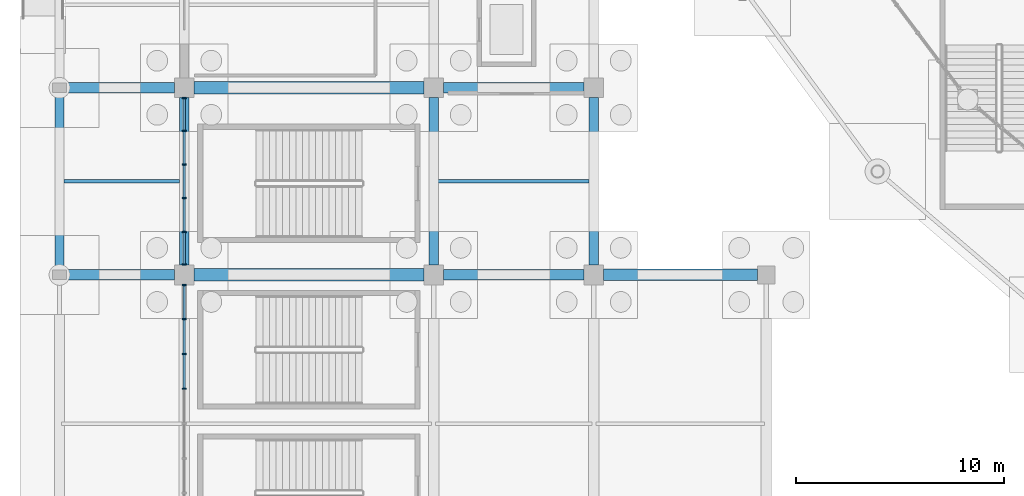
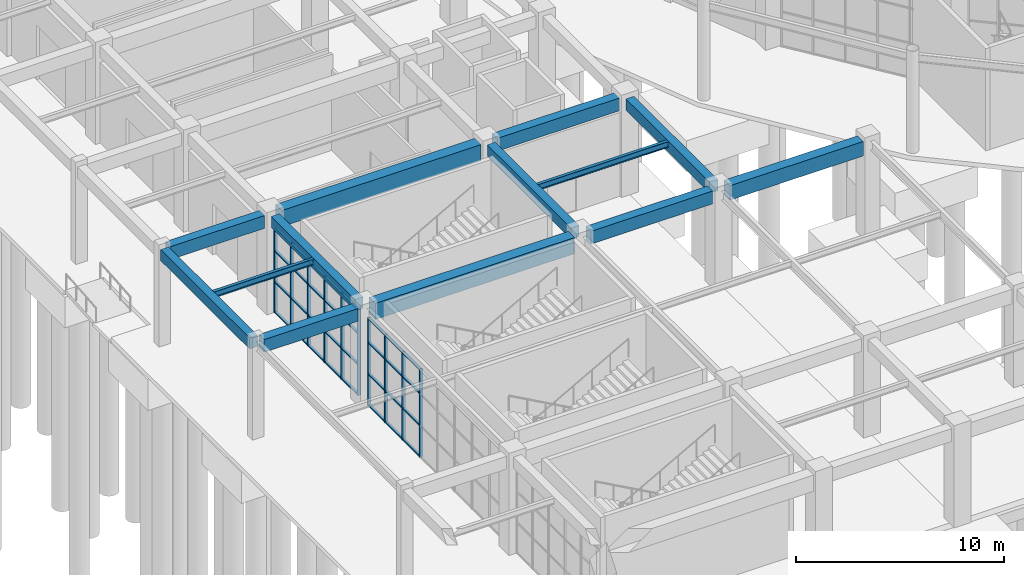
# One storey, part 26 of 121: 42 members, 13 beams, 2 elements without a shape of their own.
"""IFC4 building model written with IfcOpenShell, lengths in metres."""

from ifc_helpers import new_model, si_unit, direction, frame, origin, origin_2d, place, context, subcontext, project, spatial, rectangle, i_section, extrude, material, material_profile, profile_set, type_object, element, aggregate, save


model = new_model("IFC4")

# Units and contexts
model_context = context("Model", 3, precision=1e-05, world=origin(), true_north=direction((0.0, 1.0)))
body_context = subcontext(model_context, "Body", "Model", "MODEL_VIEW")
ifc_project = project(units=[si_unit("LENGTHUNIT", "METRE"), si_unit("AREAUNIT", "SQUARE_METRE"), si_unit("VOLUMEUNIT", "CUBIC_METRE"), si_unit("PLANEANGLEUNIT", "RADIAN"), si_unit("MASSUNIT", "GRAM", prefix="KILO")], contexts=[model_context])

# Site, building, storey
site_placement = place(None, origin())
site = spatial("IfcSite", under=ifc_project, at=site_placement, CompositionType="ELEMENT")
building_placement = place(site_placement, origin())
building = spatial("IfcBuilding", under=site, at=building_placement, Name="Cuetzalor Civic Arena", CompositionType="ELEMENT")
storey_placement = place(building_placement, origin())
storey = spatial("IfcBuildingStorey", under=building, at=storey_placement, Name="L00", CompositionType="ELEMENT", Elevation=0.0)

# Beams
ifc_material_1 = material(Name="Concrete C40/50", Category="concrete")
ifc_material_profile_1 = material_profile(ifc_material_1, rectangle(XDim=0.5, YDim=0.75, at=origin_2d()), Name="RC 500x750")
ifc_profile_set_1 = profile_set([ifc_material_profile_1], Name="Concrete C40/50")
beam_type_1 = type_object("IfcBeamType", Name="ConcreteFrameBeam_500x750", PredefinedType="BEAM", material=ifc_profile_set_1)
beam_1_placement = place(storey_placement, frame((-81.68505859375, -34.0, 5.324951171875), z_axis=(1.0, 0.0, 0.0), x_axis=(0.0, 1.0, 0.0)))
element("IfcBeam", 1, at=beam_1_placement, inside=storey, type_object=beam_type_1, Name="Frame Girder V4W-L00-X0065", PredefinedType="BEAM", context=body_context, shape_type="SweptSolid", body=[
    extrude(rectangle(XDim=0.5, YDim=0.75, at=origin_2d()), origin(), (0.0, 0.0, 1.0), 5.219970703125),
])
beam_2_placement = place(storey_placement, frame((-63.534912109375, -34.0, 5.324951171875), z_axis=(1.0, 0.0, 0.0), x_axis=(0.0, 1.0, 0.0)))
element("IfcBeam", 2, at=beam_2_placement, inside=storey, type_object=beam_type_1, Name="Frame Girder V4W-L00-X0067", PredefinedType="BEAM", context=body_context, shape_type="SweptSolid", body=[
    extrude(rectangle(XDim=0.5, YDim=0.75, at=origin_2d()), origin(), (0.0, 0.0, 1.0), 6.77001953125),
])
beam_3_placement = place(storey_placement, frame((-81.68505859375, -25.0, 5.324951171875), z_axis=(1.0, 0.0, 0.0), x_axis=(0.0, 1.0, 0.0)))
element("IfcBeam", 3, at=beam_3_placement, inside=storey, type_object=beam_type_1, Name="Frame Girder V4W-L00-X0069", PredefinedType="BEAM", context=body_context, shape_type="SweptSolid", body=[
    extrude(rectangle(XDim=0.5, YDim=0.75, at=origin_2d()), origin(), (0.0, 0.0, 1.0), 5.219970703125),
])
beam_4_placement = place(storey_placement, frame((-63.534912109375, -25.0, 5.324951171875), z_axis=(1.0, 0.0, 0.0), x_axis=(0.0, 1.0, 0.0)))
element("IfcBeam", 4, at=beam_4_placement, inside=storey, type_object=beam_type_1, Name="Frame Girder V4W-L00-X0071", PredefinedType="BEAM", context=body_context, shape_type="SweptSolid", body=[
    extrude(rectangle(XDim=0.5, YDim=0.75, at=origin_2d()), origin(), (0.0, 0.0, 1.0), 6.77001953125),
])
ifc_material_2 = material(Name="Concrete C40/50", Category="concrete")
ifc_material_profile_2 = material_profile(ifc_material_2, rectangle(XDim=0.550048828125, YDim=0.85009765625, at=origin_2d()), Name="RC 550x850")
ifc_profile_set_2 = profile_set([ifc_material_profile_2], Name="Concrete C40/50")
beam_type_2 = type_object("IfcBeamType", Name="ConcreteFrameBeam_550x850", PredefinedType="BEAM", material=ifc_profile_set_2)
beam_5_placement = place(storey_placement, frame((-55.8349609375, -34.0, 5.27490234375), z_axis=(1.0, 0.0, 0.0), x_axis=(0.0, 1.0, 0.0)))
element("IfcBeam", 5, at=beam_5_placement, inside=storey, type_object=beam_type_2, Name="Frame Girder V4W-L00-X0068", PredefinedType="BEAM", context=body_context, shape_type="SweptSolid", body=[
    extrude(rectangle(XDim=0.550048828125, YDim=0.85009765625, at=origin_2d()), origin(), (0.0, 0.0, 1.0), 7.419921875),
])
ifc_material_3 = material(Name="Concrete C40/50", Category="concrete")
ifc_material_profile_3 = material_profile(ifc_material_3, rectangle(XDim=0.60009765625, YDim=0.949951171875, at=origin_2d()), Name="RC 600x950")
ifc_profile_set_3 = profile_set([ifc_material_profile_3], Name="Concrete C40/50")
beam_type_3 = type_object("IfcBeamType", Name="ConcreteFrameBeam_600x950", PredefinedType="BEAM", material=ifc_profile_set_3)
for number, where, z_axis, x_axis, name in (
    (6, (-75.534912109375, -34.0, 5.22509765625), (1.0, 0.0, 0.0), (0.0, 1.0, 0.0), "Frame Girder V4W-L00-X0066"),
    (7, (-75.534912109375, -25.0, 5.22509765625), (1.0, 0.0, 0.0), (0.0, 1.0, 0.0), "Frame Girder V4W-L00-X0070"),
):
    element("IfcBeam", number, at=place(storey_placement, frame(where, z_axis=z_axis, x_axis=x_axis)), inside=storey, type_object=beam_type_3, Name=name, PredefinedType="BEAM", context=body_context, shape_type="SweptSolid", body=[
        extrude(rectangle(XDim=0.60009765625, YDim=0.949951171875, at=origin_2d()), origin(), (0.0, 0.0, 1.0), 11.06982421875),
    ])
ifc_material_4 = material(Name="Concrete C40/50", Category="concrete")
ifc_material_profile_4 = material_profile(ifc_material_4, rectangle(XDim=0.449951171875, YDim=0.64990234375, at=origin_2d()), Name="RC 450x650")
ifc_profile_set_4 = profile_set([ifc_material_profile_4], Name="Concrete C40/50")
beam_type_4 = type_object("IfcBeamType", Name="ConcreteTieBeam_450x650", PredefinedType="BEAM", material=ifc_profile_set_4)
beam_6_placement = place(storey_placement, frame((-82.0, -33.784912109375, 5.375), z_axis=(0.0, 1.0, 0.0), x_axis=(-1.0, 0.0, 0.0)))
element("IfcBeam", 8, at=beam_6_placement, inside=storey, type_object=beam_type_4, Name="Frame Girder V4W-L00-Y0095", PredefinedType="BEAM", context=body_context, shape_type="SweptSolid", body=[
    extrude(rectangle(XDim=0.449951171875, YDim=0.64990234375, at=origin_2d()), origin(), (0.0, 0.0, 1.0), 8.56982421875),
])
for number, where, z_axis, x_axis, name in (
    (9, (-76.0, -33.534912109375, 5.375), (0.0, 1.0, 0.0), (-1.0, 0.0, 0.0), "Frame Girder V4W-L00-Y0105"),
    (10, (-64.0, -33.534912109375, 5.375), (0.0, 1.0, 0.0), (-1.0, 0.0, 0.0), "Frame Girder V4W-L00-Y0115"),
    (11, (-56.300048828125, -33.534912109375, 5.375), (0.0, 1.0, 0.0), (-1.0, 0.0, 0.0), "Frame Girder V4W-L00-Y0125"),
):
    element("IfcBeam", number, at=place(storey_placement, frame(where, z_axis=z_axis, x_axis=x_axis)), inside=storey, type_object=beam_type_4, Name=name, PredefinedType="BEAM", context=body_context, shape_type="SweptSolid", body=[
        extrude(rectangle(XDim=0.449951171875, YDim=0.64990234375, at=origin_2d()), origin(), (0.0, 0.0, 1.0), 8.06982421875),
    ])

# Curtain wall, members
ifc_material_5 = material(Name="Anodised dark bronze aluminium and low-E solar glass", Category="aluminium")
curtain_wall_type_1 = type_object("IfcCurtainWallType", Name="UnitisedCW_13400x5150", PredefinedType="USERDEFINED", material=ifc_material_5)
curtain_wall_1_placement = place(storey_placement, origin())
curtain_wall_1 = element("IfcCurtainWall", 12, at=curtain_wall_1_placement, inside=storey, type_object=curtain_wall_type_1, Name="V4W Colonnade Curtain Wall L00-104", ObjectType="UNITISED CURTAIN WALL", PredefinedType="USERDEFINED")
ifc_material_6 = material(Name="Anodised dark bronze aluminium", Category="aluminium")
ifc_material_profile_5 = material_profile(ifc_material_6, rectangle(XDim=0.070068359375, YDim=0.179931640625, at=origin_2d()), Name="ALU MULLION 70x180")
ifc_profile_set_5 = profile_set([ifc_material_profile_5], Name="Anodised dark bronze aluminium")
member_type_1 = type_object("IfcMemberType", Name="CurtainWallMullion_65x180", PredefinedType="MULLION", material=ifc_profile_set_5)
member_1_placement = place(storey_placement, frame((-76.0, -39.476806640625, 0.0), z_axis=(0.0, 0.0, 1.0), x_axis=(0.0, 1.0, 0.0)))
member_1 = element("IfcMember", 13, at=member_1_placement, type_object=member_type_1, Name="CW-32 mullion 6", PredefinedType="MULLION", context=body_context, shape_type="SweptSolid", body=[
    extrude(rectangle(XDim=0.070068359375, YDim=0.179931640625, at=origin_2d()), origin(), (0.0, 0.0, 1.0), 5.156982421875),
])
member_2_placement = place(storey_placement, frame((-76.0, -37.803466796875, 0.0), z_axis=(0.0, 0.0, 1.0), x_axis=(0.0, 1.0, 0.0)))
member_2 = element("IfcMember", 14, at=member_2_placement, type_object=member_type_1, Name="CW-32 mullion 7", PredefinedType="MULLION", context=body_context, shape_type="SweptSolid", body=[
    extrude(rectangle(XDim=0.070068359375, YDim=0.179931640625, at=origin_2d()), origin(), (0.0, 0.0, 1.0), 5.156982421875),
])
member_3_placement = place(storey_placement, frame((-76.0, -36.13037109375, 0.0), z_axis=(0.0, 0.0, 1.0), x_axis=(0.0, 1.0, 0.0)))
member_3 = element("IfcMember", 15, at=member_3_placement, type_object=member_type_1, Name="CW-32 mullion 8", PredefinedType="MULLION", context=body_context, shape_type="SweptSolid", body=[
    extrude(rectangle(XDim=0.070068359375, YDim=0.179931640625, at=origin_2d()), origin(), (0.0, 0.0, 1.0), 5.156982421875),
])
member_4_placement = place(storey_placement, frame((-76.0, -34.491943359375, 0.0), z_axis=(0.0, 0.0, 1.0), x_axis=(0.0, 1.0, 0.0)))
member_4 = element("IfcMember", 16, at=member_4_placement, type_object=member_type_1, Name="CW-32 mullion 9", PredefinedType="MULLION", context=body_context, shape_type="SweptSolid", body=[
    extrude(rectangle(XDim=0.070068359375, YDim=0.179931640625, at=origin_2d()), origin(), (0.0, 0.0, 1.0), 5.156982421875),
])

ifc_material_7 = material(Name="Anodised dark bronze aluminium and low-E solar glass", Category="aluminium")
curtain_wall_type_2 = type_object("IfcCurtainWallType", Name="UnitisedCW_8100x5050", PredefinedType="USERDEFINED", material=ifc_material_7)
curtain_wall_2_placement = place(storey_placement, origin())
curtain_wall_2 = element("IfcCurtainWall", 17, at=curtain_wall_2_placement, inside=storey, type_object=curtain_wall_type_2, Name="V4W Colonnade Curtain Wall L00-105", ObjectType="UNITISED CURTAIN WALL", PredefinedType="USERDEFINED")
member_5_placement = place(storey_placement, frame((-76.0, -33.508056640625, 0.0), z_axis=(0.0, 0.0, 1.0), x_axis=(0.0, 1.0, 0.0)))
member_5 = element("IfcMember", 18, at=member_5_placement, type_object=member_type_1, Name="CW-33 mullion 1", PredefinedType="MULLION", context=body_context, shape_type="SweptSolid", body=[
    extrude(rectangle(XDim=0.070068359375, YDim=0.179931640625, at=origin_2d()), origin(), (0.0, 0.0, 1.0), 5.0400390625),
])
member_6_placement = place(storey_placement, frame((-76.0, -31.92578125, 0.0), z_axis=(0.0, 0.0, 1.0), x_axis=(0.0, 1.0, 0.0)))
member_6 = element("IfcMember", 19, at=member_6_placement, type_object=member_type_1, Name="CW-33 mullion 2", PredefinedType="MULLION", context=body_context, shape_type="SweptSolid", body=[
    extrude(rectangle(XDim=0.070068359375, YDim=0.179931640625, at=origin_2d()), origin(), (0.0, 0.0, 1.0), 5.0400390625),
])
member_7_placement = place(storey_placement, frame((-76.0, -30.30859375, 0.0), z_axis=(0.0, 0.0, 1.0), x_axis=(0.0, 1.0, 0.0)))
member_7 = element("IfcMember", 20, at=member_7_placement, type_object=member_type_1, Name="CW-33 mullion 3", PredefinedType="MULLION", context=body_context, shape_type="SweptSolid", body=[
    extrude(rectangle(XDim=0.070068359375, YDim=0.179931640625, at=origin_2d()), origin(), (0.0, 0.0, 1.0), 5.0400390625),
])
member_8_placement = place(storey_placement, frame((-76.0, -28.69140625, 0.0), z_axis=(0.0, 0.0, 1.0), x_axis=(0.0, 1.0, 0.0)))
member_8 = element("IfcMember", 21, at=member_8_placement, type_object=member_type_1, Name="CW-33 mullion 4", PredefinedType="MULLION", context=body_context, shape_type="SweptSolid", body=[
    extrude(rectangle(XDim=0.070068359375, YDim=0.179931640625, at=origin_2d()), origin(), (0.0, 0.0, 1.0), 5.0400390625),
])
member_9_placement = place(storey_placement, frame((-76.0, -27.07421875, 0.0), z_axis=(0.0, 0.0, 1.0), x_axis=(0.0, 1.0, 0.0)))
member_9 = element("IfcMember", 22, at=member_9_placement, type_object=member_type_1, Name="CW-33 mullion 5", PredefinedType="MULLION", context=body_context, shape_type="SweptSolid", body=[
    extrude(rectangle(XDim=0.070068359375, YDim=0.179931640625, at=origin_2d()), origin(), (0.0, 0.0, 1.0), 5.0400390625),
])
member_10_placement = place(storey_placement, frame((-76.0, -25.491943359375, 0.0), z_axis=(0.0, 0.0, 1.0), x_axis=(0.0, 1.0, 0.0)))
member_10 = element("IfcMember", 23, at=member_10_placement, type_object=member_type_1, Name="CW-33 mullion 6", PredefinedType="MULLION", context=body_context, shape_type="SweptSolid", body=[
    extrude(rectangle(XDim=0.070068359375, YDim=0.179931640625, at=origin_2d()), origin(), (0.0, 0.0, 1.0), 5.0400390625),
])

# Member
ifc_material_8 = material(Name="Anodised dark bronze aluminium", Category="aluminium")
ifc_material_profile_6 = material_profile(ifc_material_8, rectangle(XDim=0.139892578125, YDim=0.070068359375, at=origin_2d()), Name="ALU TRANSOM 70x140")
ifc_profile_set_6 = profile_set([ifc_material_profile_6], Name="Anodised dark bronze aluminium")
member_type_2 = type_object("IfcMemberType", Name="CurtainWallTransom_65x140", PredefinedType="USERDEFINED", material=ifc_profile_set_6)
member_11_placement = place(storey_placement, frame((-76.0, -39.441650390625, 0.034912109375), z_axis=(0.0, 1.0, 0.0), x_axis=(-1.0, 0.0, 0.0)))
member_11 = element("IfcMember", 24, at=member_11_placement, type_object=member_type_2, Name="CW-32 transom 6.1", ObjectType="TRANSOM", PredefinedType="USERDEFINED", context=body_context, shape_type="SweptSolid", body=[
    extrude(rectangle(XDim=0.139892578125, YDim=0.070068359375, at=origin_2d()), origin(), (0.0, 0.0, 1.0), 1.603271484375),
])

member_12_placement = place(storey_placement, frame((-76.0, -39.441650390625, 1.85693359375), z_axis=(0.0, 1.0, 0.0), x_axis=(-1.0, 0.0, 0.0)))
member_12 = element("IfcMember", 25, at=member_12_placement, type_object=member_type_2, Name="CW-32 transom 6.2", ObjectType="TRANSOM", PredefinedType="USERDEFINED", context=body_context, shape_type="SweptSolid", body=[
    extrude(rectangle(XDim=0.139892578125, YDim=0.070068359375, at=origin_2d()), origin(), (0.0, 0.0, 1.0), 1.603271484375),
])

member_13_placement = place(storey_placement, frame((-76.0, -39.441650390625, 3.712890625), z_axis=(0.0, 1.0, 0.0), x_axis=(-1.0, 0.0, 0.0)))
member_13 = element("IfcMember", 26, at=member_13_placement, type_object=member_type_2, Name="CW-32 transom 6.3", ObjectType="TRANSOM", PredefinedType="USERDEFINED", context=body_context, shape_type="SweptSolid", body=[
    extrude(rectangle(XDim=0.139892578125, YDim=0.070068359375, at=origin_2d()), origin(), (0.0, 0.0, 1.0), 1.603271484375),
])

member_14_placement = place(storey_placement, frame((-76.0, -39.441650390625, 5.1220703125), z_axis=(0.0, 1.0, 0.0), x_axis=(-1.0, 0.0, 0.0)))
member_14 = element("IfcMember", 27, at=member_14_placement, type_object=member_type_2, Name="CW-32 transom 6.4", ObjectType="TRANSOM", PredefinedType="USERDEFINED", context=body_context, shape_type="SweptSolid", body=[
    extrude(rectangle(XDim=0.139892578125, YDim=0.070068359375, at=origin_2d()), origin(), (0.0, 0.0, 1.0), 1.603271484375),
])

member_15_placement = place(storey_placement, frame((-76.0, -37.7685546875, 0.034912109375), z_axis=(0.0, 1.0, 0.0), x_axis=(-1.0, 0.0, 0.0)))
member_15 = element("IfcMember", 28, at=member_15_placement, type_object=member_type_2, Name="CW-32 transom 7.1", ObjectType="TRANSOM", PredefinedType="USERDEFINED", context=body_context, shape_type="SweptSolid", body=[
    extrude(rectangle(XDim=0.139892578125, YDim=0.070068359375, at=origin_2d()), origin(), (0.0, 0.0, 1.0), 1.603271484375),
])

member_16_placement = place(storey_placement, frame((-76.0, -37.7685546875, 1.85693359375), z_axis=(0.0, 1.0, 0.0), x_axis=(-1.0, 0.0, 0.0)))
member_16 = element("IfcMember", 29, at=member_16_placement, type_object=member_type_2, Name="CW-32 transom 7.2", ObjectType="TRANSOM", PredefinedType="USERDEFINED", context=body_context, shape_type="SweptSolid", body=[
    extrude(rectangle(XDim=0.139892578125, YDim=0.070068359375, at=origin_2d()), origin(), (0.0, 0.0, 1.0), 1.603271484375),
])

member_17_placement = place(storey_placement, frame((-76.0, -37.7685546875, 3.712890625), z_axis=(0.0, 1.0, 0.0), x_axis=(-1.0, 0.0, 0.0)))
member_17 = element("IfcMember", 30, at=member_17_placement, type_object=member_type_2, Name="CW-32 transom 7.3", ObjectType="TRANSOM", PredefinedType="USERDEFINED", context=body_context, shape_type="SweptSolid", body=[
    extrude(rectangle(XDim=0.139892578125, YDim=0.070068359375, at=origin_2d()), origin(), (0.0, 0.0, 1.0), 1.603271484375),
])

member_18_placement = place(storey_placement, frame((-76.0, -37.7685546875, 5.1220703125), z_axis=(0.0, 1.0, 0.0), x_axis=(-1.0, 0.0, 0.0)))
member_18 = element("IfcMember", 31, at=member_18_placement, type_object=member_type_2, Name="CW-32 transom 7.4", ObjectType="TRANSOM", PredefinedType="USERDEFINED", context=body_context, shape_type="SweptSolid", body=[
    extrude(rectangle(XDim=0.139892578125, YDim=0.070068359375, at=origin_2d()), origin(), (0.0, 0.0, 1.0), 1.603271484375),
])

member_19_placement = place(storey_placement, frame((-76.0, -36.09521484375, 0.034912109375), z_axis=(0.0, 1.0, 0.0), x_axis=(-1.0, 0.0, 0.0)))
member_19 = element("IfcMember", 32, at=member_19_placement, type_object=member_type_2, Name="CW-32 transom 8.1", ObjectType="TRANSOM", PredefinedType="USERDEFINED", context=body_context, shape_type="SweptSolid", body=[
    extrude(rectangle(XDim=0.139892578125, YDim=0.070068359375, at=origin_2d()), origin(), (0.0, 0.0, 1.0), 1.568115234375),
])

member_20_placement = place(storey_placement, frame((-76.0, -36.09521484375, 1.85693359375), z_axis=(0.0, 1.0, 0.0), x_axis=(-1.0, 0.0, 0.0)))
member_20 = element("IfcMember", 33, at=member_20_placement, type_object=member_type_2, Name="CW-32 transom 8.2", ObjectType="TRANSOM", PredefinedType="USERDEFINED", context=body_context, shape_type="SweptSolid", body=[
    extrude(rectangle(XDim=0.139892578125, YDim=0.070068359375, at=origin_2d()), origin(), (0.0, 0.0, 1.0), 1.568115234375),
])

member_21_placement = place(storey_placement, frame((-76.0, -36.09521484375, 3.712890625), z_axis=(0.0, 1.0, 0.0), x_axis=(-1.0, 0.0, 0.0)))
member_21 = element("IfcMember", 34, at=member_21_placement, type_object=member_type_2, Name="CW-32 transom 8.3", ObjectType="TRANSOM", PredefinedType="USERDEFINED", context=body_context, shape_type="SweptSolid", body=[
    extrude(rectangle(XDim=0.139892578125, YDim=0.070068359375, at=origin_2d()), origin(), (0.0, 0.0, 1.0), 1.568115234375),
])

member_22_placement = place(storey_placement, frame((-76.0, -36.09521484375, 5.1220703125), z_axis=(0.0, 1.0, 0.0), x_axis=(-1.0, 0.0, 0.0)))
member_22 = element("IfcMember", 35, at=member_22_placement, type_object=member_type_2, Name="CW-32 transom 8.4", ObjectType="TRANSOM", PredefinedType="USERDEFINED", context=body_context, shape_type="SweptSolid", body=[
    extrude(rectangle(XDim=0.139892578125, YDim=0.070068359375, at=origin_2d()), origin(), (0.0, 0.0, 1.0), 1.568115234375),
])

aggregate(curtain_wall_1, [member_1, member_2, member_3, member_4, member_11, member_12, member_13, member_14, member_15, member_16, member_17, member_18, member_19, member_20, member_21, member_22])

member_23_placement = place(storey_placement, frame((-76.0, -33.472900390625, 0.034912109375), z_axis=(0.0, 1.0, 0.0), x_axis=(-1.0, 0.0, 0.0)))
member_23 = element("IfcMember", 36, at=member_23_placement, type_object=member_type_2, Name="CW-33 transom 1.1", ObjectType="TRANSOM", PredefinedType="USERDEFINED", context=body_context, shape_type="SweptSolid", body=[
    extrude(rectangle(XDim=0.139892578125, YDim=0.070068359375, at=origin_2d()), origin(), (0.0, 0.0, 1.0), 1.51220703125),
])

member_24_placement = place(storey_placement, frame((-76.0, -33.472900390625, 1.81396484375), z_axis=(0.0, 1.0, 0.0), x_axis=(-1.0, 0.0, 0.0)))
member_24 = element("IfcMember", 37, at=member_24_placement, type_object=member_type_2, Name="CW-33 transom 1.2", ObjectType="TRANSOM", PredefinedType="USERDEFINED", context=body_context, shape_type="SweptSolid", body=[
    extrude(rectangle(XDim=0.139892578125, YDim=0.070068359375, at=origin_2d()), origin(), (0.0, 0.0, 1.0), 1.51220703125),
])

member_25_placement = place(storey_placement, frame((-76.0, -33.472900390625, 3.62890625), z_axis=(0.0, 1.0, 0.0), x_axis=(-1.0, 0.0, 0.0)))
member_25 = element("IfcMember", 38, at=member_25_placement, type_object=member_type_2, Name="CW-33 transom 1.3", ObjectType="TRANSOM", PredefinedType="USERDEFINED", context=body_context, shape_type="SweptSolid", body=[
    extrude(rectangle(XDim=0.139892578125, YDim=0.070068359375, at=origin_2d()), origin(), (0.0, 0.0, 1.0), 1.51220703125),
])

member_26_placement = place(storey_placement, frame((-76.0, -33.472900390625, 5.0048828125), z_axis=(0.0, 1.0, 0.0), x_axis=(-1.0, 0.0, 0.0)))
member_26 = element("IfcMember", 39, at=member_26_placement, type_object=member_type_2, Name="CW-33 transom 1.4", ObjectType="TRANSOM", PredefinedType="USERDEFINED", context=body_context, shape_type="SweptSolid", body=[
    extrude(rectangle(XDim=0.139892578125, YDim=0.070068359375, at=origin_2d()), origin(), (0.0, 0.0, 1.0), 1.51220703125),
])

member_27_placement = place(storey_placement, frame((-76.0, -31.890869140625, 0.034912109375), z_axis=(0.0, 1.0, 0.0), x_axis=(-1.0, 0.0, 0.0)))
member_27 = element("IfcMember", 40, at=member_27_placement, type_object=member_type_2, Name="CW-33 transom 2.1", ObjectType="TRANSOM", PredefinedType="USERDEFINED", context=body_context, shape_type="SweptSolid", body=[
    extrude(rectangle(XDim=0.139892578125, YDim=0.070068359375, at=origin_2d()), origin(), (0.0, 0.0, 1.0), 1.54736328125),
])

member_28_placement = place(storey_placement, frame((-76.0, -31.890869140625, 1.81396484375), z_axis=(0.0, 1.0, 0.0), x_axis=(-1.0, 0.0, 0.0)))
member_28 = element("IfcMember", 41, at=member_28_placement, type_object=member_type_2, Name="CW-33 transom 2.2", ObjectType="TRANSOM", PredefinedType="USERDEFINED", context=body_context, shape_type="SweptSolid", body=[
    extrude(rectangle(XDim=0.139892578125, YDim=0.070068359375, at=origin_2d()), origin(), (0.0, 0.0, 1.0), 1.54736328125),
])

member_29_placement = place(storey_placement, frame((-76.0, -31.890869140625, 3.62890625), z_axis=(0.0, 1.0, 0.0), x_axis=(-1.0, 0.0, 0.0)))
member_29 = element("IfcMember", 42, at=member_29_placement, type_object=member_type_2, Name="CW-33 transom 2.3", ObjectType="TRANSOM", PredefinedType="USERDEFINED", context=body_context, shape_type="SweptSolid", body=[
    extrude(rectangle(XDim=0.139892578125, YDim=0.070068359375, at=origin_2d()), origin(), (0.0, 0.0, 1.0), 1.54736328125),
])

member_30_placement = place(storey_placement, frame((-76.0, -31.890869140625, 5.0048828125), z_axis=(0.0, 1.0, 0.0), x_axis=(-1.0, 0.0, 0.0)))
member_30 = element("IfcMember", 43, at=member_30_placement, type_object=member_type_2, Name="CW-33 transom 2.4", ObjectType="TRANSOM", PredefinedType="USERDEFINED", context=body_context, shape_type="SweptSolid", body=[
    extrude(rectangle(XDim=0.139892578125, YDim=0.070068359375, at=origin_2d()), origin(), (0.0, 0.0, 1.0), 1.54736328125),
])

member_31_placement = place(storey_placement, frame((-76.0, -30.273681640625, 0.034912109375), z_axis=(0.0, 1.0, 0.0), x_axis=(-1.0, 0.0, 0.0)))
member_31 = element("IfcMember", 44, at=member_31_placement, type_object=member_type_2, Name="CW-33 transom 3.1", ObjectType="TRANSOM", PredefinedType="USERDEFINED", context=body_context, shape_type="SweptSolid", body=[
    extrude(rectangle(XDim=0.139892578125, YDim=0.070068359375, at=origin_2d()), origin(), (0.0, 0.0, 1.0), 1.54736328125),
])

member_32_placement = place(storey_placement, frame((-76.0, -30.273681640625, 1.81396484375), z_axis=(0.0, 1.0, 0.0), x_axis=(-1.0, 0.0, 0.0)))
member_32 = element("IfcMember", 45, at=member_32_placement, type_object=member_type_2, Name="CW-33 transom 3.2", ObjectType="TRANSOM", PredefinedType="USERDEFINED", context=body_context, shape_type="SweptSolid", body=[
    extrude(rectangle(XDim=0.139892578125, YDim=0.070068359375, at=origin_2d()), origin(), (0.0, 0.0, 1.0), 1.54736328125),
])

member_33_placement = place(storey_placement, frame((-76.0, -30.273681640625, 3.62890625), z_axis=(0.0, 1.0, 0.0), x_axis=(-1.0, 0.0, 0.0)))
member_33 = element("IfcMember", 46, at=member_33_placement, type_object=member_type_2, Name="CW-33 transom 3.3", ObjectType="TRANSOM", PredefinedType="USERDEFINED", context=body_context, shape_type="SweptSolid", body=[
    extrude(rectangle(XDim=0.139892578125, YDim=0.070068359375, at=origin_2d()), origin(), (0.0, 0.0, 1.0), 1.54736328125),
])

member_34_placement = place(storey_placement, frame((-76.0, -30.273681640625, 5.0048828125), z_axis=(0.0, 1.0, 0.0), x_axis=(-1.0, 0.0, 0.0)))
member_34 = element("IfcMember", 47, at=member_34_placement, type_object=member_type_2, Name="CW-33 transom 3.4", ObjectType="TRANSOM", PredefinedType="USERDEFINED", context=body_context, shape_type="SweptSolid", body=[
    extrude(rectangle(XDim=0.139892578125, YDim=0.070068359375, at=origin_2d()), origin(), (0.0, 0.0, 1.0), 1.54736328125),
])

member_35_placement = place(storey_placement, frame((-76.0, -28.656494140625, 0.034912109375), z_axis=(0.0, 1.0, 0.0), x_axis=(-1.0, 0.0, 0.0)))
member_35 = element("IfcMember", 48, at=member_35_placement, type_object=member_type_2, Name="CW-33 transom 4.1", ObjectType="TRANSOM", PredefinedType="USERDEFINED", context=body_context, shape_type="SweptSolid", body=[
    extrude(rectangle(XDim=0.139892578125, YDim=0.070068359375, at=origin_2d()), origin(), (0.0, 0.0, 1.0), 1.54736328125),
])

member_36_placement = place(storey_placement, frame((-76.0, -28.656494140625, 1.81396484375), z_axis=(0.0, 1.0, 0.0), x_axis=(-1.0, 0.0, 0.0)))
member_36 = element("IfcMember", 49, at=member_36_placement, type_object=member_type_2, Name="CW-33 transom 4.2", ObjectType="TRANSOM", PredefinedType="USERDEFINED", context=body_context, shape_type="SweptSolid", body=[
    extrude(rectangle(XDim=0.139892578125, YDim=0.070068359375, at=origin_2d()), origin(), (0.0, 0.0, 1.0), 1.54736328125),
])

member_37_placement = place(storey_placement, frame((-76.0, -28.656494140625, 3.62890625), z_axis=(0.0, 1.0, 0.0), x_axis=(-1.0, 0.0, 0.0)))
member_37 = element("IfcMember", 50, at=member_37_placement, type_object=member_type_2, Name="CW-33 transom 4.3", ObjectType="TRANSOM", PredefinedType="USERDEFINED", context=body_context, shape_type="SweptSolid", body=[
    extrude(rectangle(XDim=0.139892578125, YDim=0.070068359375, at=origin_2d()), origin(), (0.0, 0.0, 1.0), 1.54736328125),
])

member_38_placement = place(storey_placement, frame((-76.0, -28.656494140625, 5.0048828125), z_axis=(0.0, 1.0, 0.0), x_axis=(-1.0, 0.0, 0.0)))
member_38 = element("IfcMember", 51, at=member_38_placement, type_object=member_type_2, Name="CW-33 transom 4.4", ObjectType="TRANSOM", PredefinedType="USERDEFINED", context=body_context, shape_type="SweptSolid", body=[
    extrude(rectangle(XDim=0.139892578125, YDim=0.070068359375, at=origin_2d()), origin(), (0.0, 0.0, 1.0), 1.54736328125),
])

member_39_placement = place(storey_placement, frame((-76.0, -27.039306640625, 0.034912109375), z_axis=(0.0, 1.0, 0.0), x_axis=(-1.0, 0.0, 0.0)))
member_39 = element("IfcMember", 52, at=member_39_placement, type_object=member_type_2, Name="CW-33 transom 5.1", ObjectType="TRANSOM", PredefinedType="USERDEFINED", context=body_context, shape_type="SweptSolid", body=[
    extrude(rectangle(XDim=0.139892578125, YDim=0.070068359375, at=origin_2d()), origin(), (0.0, 0.0, 1.0), 1.51220703125),
])

member_40_placement = place(storey_placement, frame((-76.0, -27.039306640625, 1.81396484375), z_axis=(0.0, 1.0, 0.0), x_axis=(-1.0, 0.0, 0.0)))
member_40 = element("IfcMember", 53, at=member_40_placement, type_object=member_type_2, Name="CW-33 transom 5.2", ObjectType="TRANSOM", PredefinedType="USERDEFINED", context=body_context, shape_type="SweptSolid", body=[
    extrude(rectangle(XDim=0.139892578125, YDim=0.070068359375, at=origin_2d()), origin(), (0.0, 0.0, 1.0), 1.51220703125),
])

member_41_placement = place(storey_placement, frame((-76.0, -27.039306640625, 3.62890625), z_axis=(0.0, 1.0, 0.0), x_axis=(-1.0, 0.0, 0.0)))
member_41 = element("IfcMember", 54, at=member_41_placement, type_object=member_type_2, Name="CW-33 transom 5.3", ObjectType="TRANSOM", PredefinedType="USERDEFINED", context=body_context, shape_type="SweptSolid", body=[
    extrude(rectangle(XDim=0.139892578125, YDim=0.070068359375, at=origin_2d()), origin(), (0.0, 0.0, 1.0), 1.51220703125),
])

member_42_placement = place(storey_placement, frame((-76.0, -27.039306640625, 5.0048828125), z_axis=(0.0, 1.0, 0.0), x_axis=(-1.0, 0.0, 0.0)))
member_42 = element("IfcMember", 55, at=member_42_placement, type_object=member_type_2, Name="CW-33 transom 5.4", ObjectType="TRANSOM", PredefinedType="USERDEFINED", context=body_context, shape_type="SweptSolid", body=[
    extrude(rectangle(XDim=0.139892578125, YDim=0.070068359375, at=origin_2d()), origin(), (0.0, 0.0, 1.0), 1.51220703125),
])

aggregate(curtain_wall_2, [member_5, member_6, member_7, member_8, member_9, member_10, member_23, member_24, member_25, member_26, member_27, member_28, member_29, member_30, member_31, member_32, member_33, member_34, member_35, member_36, member_37, member_38, member_39, member_40, member_41, member_42])

# Beams
ifc_material_9 = material(Name="Steel S355", Category="steel")
ifc_material_profile_7 = material_profile(ifc_material_9, i_section(OverallWidth=0.1708984375, OverallDepth=0.35498046875, WebThickness=0.007080078125, FlangeThickness=0.01171875, at=origin_2d()), Name="W360x51")
ifc_profile_set_7 = profile_set([ifc_material_profile_7], Name="Steel S355")
beam_type_5 = type_object("IfcBeamType", Name="SecondaryFloorJoist_W360", PredefinedType="JOIST", material=ifc_profile_set_7)
beam_7_placement = place(storey_placement, frame((-81.782958984375, -29.5, 5.5224609375), z_axis=(1.0, 0.0, 0.0), x_axis=(0.0, 1.0, 0.0)))
element("IfcBeam", 56, at=beam_7_placement, inside=storey, type_object=beam_type_5, Name="Secondary Floor Joist V4W-L00-0017", PredefinedType="JOIST", context=body_context, shape_type="SweptSolid", body=[
    extrude(i_section(OverallWidth=0.1708984375, OverallDepth=0.35498046875, WebThickness=0.007080078125, FlangeThickness=0.01171875, at=origin_2d()), origin(), (0.0, 0.0, 1.0), 5.56591796875),
])
beam_8_placement = place(storey_placement, frame((-63.782958984375, -29.5, 5.5224609375), z_axis=(1.0, 0.0, 0.0), x_axis=(0.0, 1.0, 0.0)))
element("IfcBeam", 57, at=beam_8_placement, inside=storey, type_object=beam_type_5, Name="Secondary Floor Joist V4W-L00-0034", PredefinedType="JOIST", context=body_context, shape_type="SweptSolid", body=[
    extrude(i_section(OverallWidth=0.1708984375, OverallDepth=0.35498046875, WebThickness=0.007080078125, FlangeThickness=0.01171875, at=origin_2d()), origin(), (0.0, 0.0, 1.0), 7.265869140625),
])

save(model, "model.ifc")
